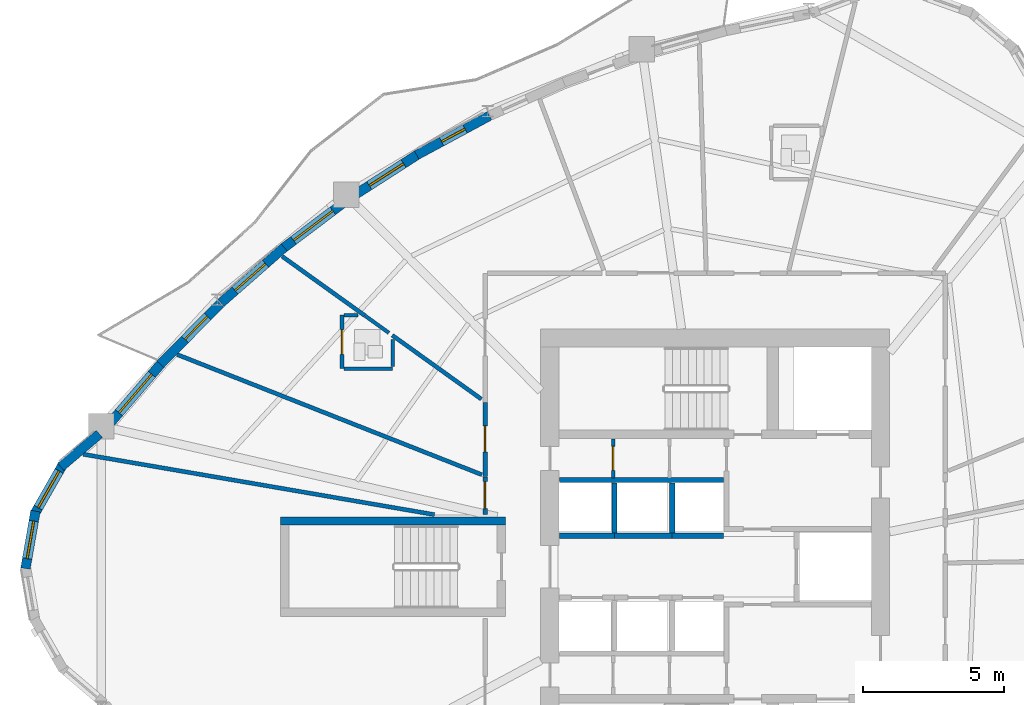
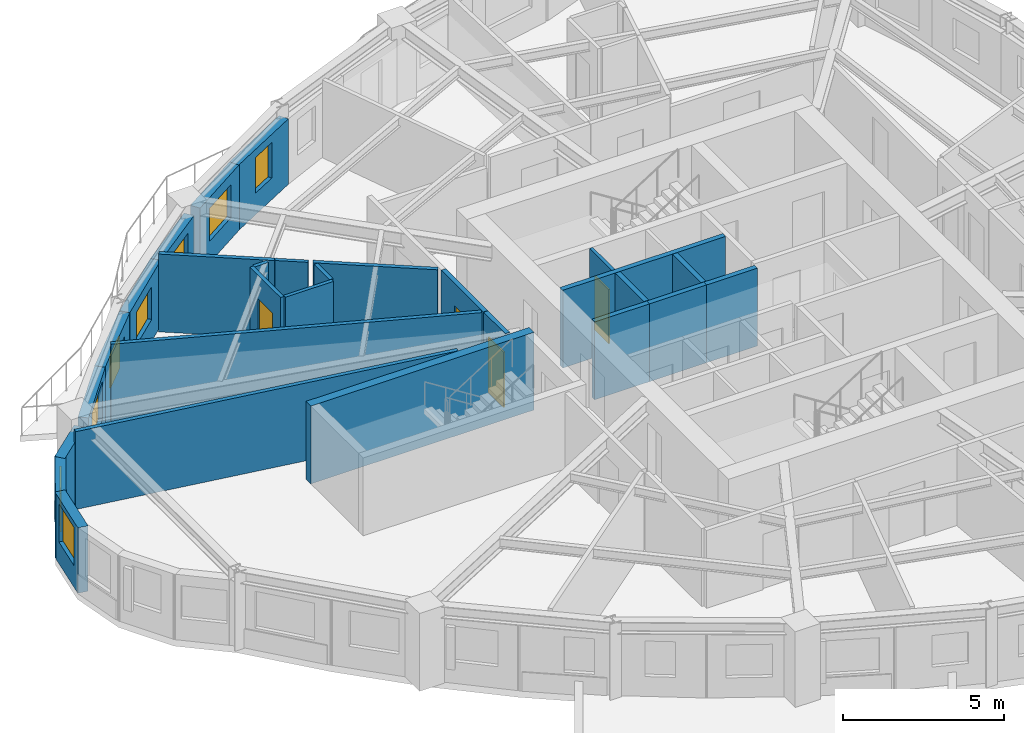
# One storey, part 6 of 14: 28 walls, 8 windows, 4 doors, 12 openings.
"""IFC4 building model written with IfcOpenShell, lengths in metres."""

from ifc_helpers import new_model, si_unit, direction, frame, frame_2d, origin, place, context, subcontext, project, spatial, rectangle, extrude, source, transform, mapped, material, layer, layer_set, type_object, element, fill, save


model = new_model("IFC4")

# Units and contexts
model_context = context("Model", 3, precision=1e-05, world=origin(), true_north=direction((0.0, 1.0)))
body_context = subcontext(model_context, "Body", "Model", "MODEL_VIEW")
ifc_project = project(units=[si_unit("LENGTHUNIT", "METRE"), si_unit("AREAUNIT", "SQUARE_METRE"), si_unit("VOLUMEUNIT", "CUBIC_METRE"), si_unit("PLANEANGLEUNIT", "RADIAN"), si_unit("MASSUNIT", "GRAM", prefix="KILO")], contexts=[model_context])

# Site, building, storey
site_placement = place(None, origin())
site = spatial("IfcSite", under=ifc_project, at=site_placement, CompositionType="ELEMENT")
building_placement = place(site_placement, origin())
building = spatial("IfcBuilding", under=site, at=building_placement, Name="Qafzar Sky-Pleat Residences", CompositionType="ELEMENT")
storey_placement = place(building_placement, frame((0.0, 0.0, 118.39990234375)))
storey = spatial("IfcBuildingStorey", under=building, at=storey_placement, Name="L35", CompositionType="ELEMENT", Elevation=118.39990234375)

# Wall, opening, door
ifc_material_1 = material(Name="Acoustic gypsum plasterboard partition", Category="gypsum")
ifc_layer_1 = layer(ifc_material_1, 0.159912109375)
ifc_layer_set_1 = layer_set([ifc_layer_1], Name="Acoustic gypsum plasterboard partition")
wall_type_1 = type_object("IfcWallType", Name="PART-COR-160", PredefinedType="PARTITIONING", material=ifc_layer_set_1)
wall_1_placement = place(storey_placement, frame((22.169921875, 29.208984375, 0.0), z_axis=(0.0, 0.0, 1.0), x_axis=(0.0, 1.0, 0.0)))
wall_1 = element("IfcWall", 1, at=wall_1_placement, inside=storey, type_object=wall_type_1, Name="L35 Partition Wall PART-L35-PW-013", PredefinedType="PARTITIONING", context=body_context, shape_type="SweptSolid", body=[
    extrude(rectangle(XDim=2.6201171875, YDim=0.159912109375, at=frame_2d((1.31005859375, 0.0))), origin(), (0.0, 0.0, 1.0), 2.9501953125),
])
opening_1_placement = place(wall_1_placement, frame((0.87548828125, 0.0, 0.0)))
opening_1 = element("IfcOpeningElement", 2, at=opening_1_placement, cuts=wall_1, Name="Opening ID-04", PredefinedType="OPENING", context=body_context, shape_type="SweptSolid", body=[
    extrude(rectangle(XDim=0.919921875, YDim=2.10009765625, at=frame_2d((0.4599609375, 1.050048828125))), frame((0.0, 0.08984375, 0.0), z_axis=(0.0, -1.0, 0.0), x_axis=(1.0, 0.0, 0.0)), (0.0, 0.0, 1.0), 0.179931640625),
])
ifc_material_2 = material(Name="Timber-faced fire door", Category="wood")
door_type_1 = type_object("IfcDoorType", Name="DR-BED-920", OperationType="NOTDEFINED", PredefinedType="DOOR", material=ifc_material_2)
shared_shape_1 = source(origin(), body_context, "Body", "SweptSolid", [
    extrude(rectangle(XDim=0.919921875, YDim=2.10009765625, at=frame_2d((0.4599609375, 1.050048828125))), frame((0.0, 0.02490234375, 0.0), z_axis=(0.0, -1.0, 0.0), x_axis=(1.0, 0.0, 0.0)), (0.0, 0.0, 1.0), 0.050048828125),
])
door_1_placement = place(opening_1_placement, origin())
door_1 = element("IfcDoor", 3, at=door_1_placement, inside=storey, type_object=door_type_1, Name="L35 Co-Living Bedroom 2 Door", OperationType="SINGLE_SWING_RIGHT", OverallHeight=2.10009765625, OverallWidth=0.919921875, PredefinedType="DOOR", context=body_context, shape_type="MappedRepresentation", body=[
    mapped(shared_shape_1, transform((0.0, 0.0, 0.0), x_axis=(1.0, 0.0, 0.0), y_axis=(0.0, 1.0, 0.0), z_axis=(0.0, 0.0, 1.0), scale=1.0)),
])
fill(opening_1, door_1)

wall_2_placement = place(storey_placement, frame((22.169921875, 27.85009765625, 0.0), z_axis=(0.0, 0.0, 1.0), x_axis=(0.0, 1.0, 0.0)))
wall_2 = element("IfcWall", 4, at=wall_2_placement, inside=storey, type_object=wall_type_1, Name="L35 Partition Wall PART-L35-PW-020", PredefinedType="PARTITIONING", context=body_context, shape_type="SweptSolid", body=[
    extrude(rectangle(XDim=1.343994140625, YDim=0.159912109375, at=frame_2d((0.671875, 0.0))), origin(), (0.0, 0.0, 1.0), 2.9501953125),
])
opening_2_placement = place(wall_2_placement, frame((0.211181640625, 0.0, 0.0)))
opening_2 = element("IfcOpeningElement", 5, at=opening_2_placement, cuts=wall_2, Name="Opening ID-06", PredefinedType="OPENING", context=body_context, shape_type="SweptSolid", body=[
    extrude(rectangle(XDim=0.9599609375, YDim=2.10009765625, at=frame_2d((0.47998046875, 1.050048828125))), frame((0.0, 0.08984375, 0.0), z_axis=(0.0, -1.0, 0.0), x_axis=(1.0, 0.0, 0.0)), (0.0, 0.0, 1.0), 0.179931640625),
])
door_type_2 = type_object("IfcDoorType", Name="DR-STD-960", OperationType="NOTDEFINED", PredefinedType="DOOR", material=ifc_material_2)
shared_shape_2 = source(origin(), body_context, "Body", "SweptSolid", [
    extrude(rectangle(XDim=0.9599609375, YDim=2.10009765625, at=frame_2d((0.47998046875, 1.050048828125))), frame((0.0, 0.02490234375, 0.0), z_axis=(0.0, -1.0, 0.0), x_axis=(1.0, 0.0, 0.0)), (0.0, 0.0, 1.0), 0.050048828125),
])
door_2_placement = place(opening_2_placement, origin())
door_2 = element("IfcDoor", 6, at=door_2_placement, inside=storey, type_object=door_type_2, Name="L35 Common Dining Room Door", OperationType="SINGLE_SWING_LEFT", OverallHeight=2.10009765625, OverallWidth=0.9599609375, PredefinedType="DOOR", context=body_context, shape_type="MappedRepresentation", body=[
    mapped(shared_shape_2, transform((0.0, 0.0, 0.0), x_axis=(1.0, 0.0, 0.0), y_axis=(0.0, 1.0, 0.0), z_axis=(0.0, 0.0, 1.0), scale=1.0)),
])
fill(opening_2, door_2)

# Walls
ifc_material_3 = material(Name="Concrete blockwork partition", Category="masonry")
ifc_layer_2 = layer(ifc_material_3, 0.179931640625)
ifc_layer_set_2 = layer_set([ifc_layer_2], Name="Concrete blockwork partition")
wall_type_2 = type_object("IfcWallType", Name="PART-SHAFT-180", PredefinedType="PARTITIONING", material=ifc_layer_set_2)
wall_3_placement = place(storey_placement, frame((24.81005859375, 29.080078125, 0.0), z_axis=(0.0, 0.0, 1.0), x_axis=(1.0, 0.0, 0.0)))
element("IfcWall", 7, at=wall_3_placement, inside=storey, type_object=wall_type_2, Name="L35 Partition Wall PART-L35-P46-N", PredefinedType="PARTITIONING", context=body_context, shape_type="SweptSolid", body=[
    extrude(rectangle(XDim=5.83984375, YDim=0.179931640625, at=frame_2d((2.919921875, 0.0))), origin(), (0.0, 0.0, 1.0), 2.9501953125),
])
wall_4_placement = place(storey_placement, frame((24.81005859375, 27.10009765625, 0.0), z_axis=(0.0, 0.0, 1.0), x_axis=(1.0, 0.0, 0.0)))
element("IfcWall", 8, at=wall_4_placement, inside=storey, type_object=wall_type_2, Name="L35 Partition Wall PART-L35-P4-S", PredefinedType="PARTITIONING", context=body_context, shape_type="SweptSolid", body=[
    extrude(rectangle(XDim=1.96484375, YDim=0.179931640625, at=frame_2d((0.982421875, 0.0))), origin(), (0.0, 0.0, 1.0), 2.9501953125),
])
wall_5_placement = place(storey_placement, frame((26.77490234375, 27.10009765625, 0.0), z_axis=(0.0, 0.0, 1.0), x_axis=(1.0, 0.0, 0.0)))
element("IfcWall", 9, at=wall_5_placement, inside=storey, type_object=wall_type_2, Name="L35 Partition Wall PART-L35-P5-S", PredefinedType="PARTITIONING", context=body_context, shape_type="SweptSolid", body=[
    extrude(rectangle(XDim=2.050048828125, YDim=0.179931640625, at=frame_2d((1.02490234375, 0.0))), origin(), (0.0, 0.0, 1.0), 2.9501953125),
])
wall_6_placement = place(storey_placement, frame((26.77490234375, 27.199951171875, 0.0), z_axis=(0.0, 0.0, 1.0), x_axis=(0.0, 1.0, 0.0)))
element("IfcWall", 10, at=wall_6_placement, inside=storey, type_object=wall_type_2, Name="L35 Partition Wall PART-L35-P46-DIV-1", PredefinedType="PARTITIONING", context=body_context, shape_type="SweptSolid", body=[
    extrude(rectangle(XDim=1.780029296875, YDim=0.179931640625, at=frame_2d((0.89013671875, 0.0))), origin(), (0.0, 0.0, 1.0), 2.9501953125),
])
wall_7_placement = place(storey_placement, frame((28.824951171875, 27.10009765625, 0.0), z_axis=(0.0, 0.0, 1.0), x_axis=(1.0, 0.0, 0.0)))
element("IfcWall", 11, at=wall_7_placement, inside=storey, type_object=wall_type_2, Name="L35 Partition Wall PART-L35-P6-S", PredefinedType="PARTITIONING", context=body_context, shape_type="SweptSolid", body=[
    extrude(rectangle(XDim=1.824951171875, YDim=0.179931640625, at=frame_2d((0.91259765625, 0.0))), origin(), (0.0, 0.0, 1.0), 2.9501953125),
])
wall_8_placement = place(storey_placement, frame((28.824951171875, 27.199951171875, 0.0), z_axis=(0.0, 0.0, 1.0), x_axis=(0.0, 1.0, 0.0)))
element("IfcWall", 12, at=wall_8_placement, inside=storey, type_object=wall_type_2, Name="L35 Partition Wall PART-L35-P46-DIV-2", PredefinedType="PARTITIONING", context=body_context, shape_type="SweptSolid", body=[
    extrude(rectangle(XDim=1.780029296875, YDim=0.179931640625, at=frame_2d((0.89013671875, 0.0))), origin(), (0.0, 0.0, 1.0), 2.9501953125),
])

# Wall, opening, door
ifc_material_4 = material(Name="Gypsum plasterboard partition", Category="gypsum")
ifc_layer_3 = layer(ifc_material_4, 0.114990234375)
ifc_layer_set_3 = layer_set([ifc_layer_3], Name="Gypsum plasterboard partition")
wall_type_3 = type_object("IfcWallType", Name="PART-SVC-115", PredefinedType="PARTITIONING", material=ifc_layer_set_3)
wall_9_placement = place(storey_placement, frame((26.72509765625, 29.159912109375, 0.0), z_axis=(0.0, 0.0, 1.0), x_axis=(0.0, 1.0, 0.0)))
wall_9 = element("IfcWall", 13, at=wall_9_placement, inside=storey, type_object=wall_type_3, Name="L35 Partition Wall PART-L35-KC-NW-1", PredefinedType="PARTITIONING", context=body_context, shape_type="SweptSolid", body=[
    extrude(rectangle(XDim=1.380126953125, YDim=0.114990234375, at=frame_2d((0.68994140625, 0.0))), origin(), (0.0, 0.0, 1.0), 2.9501953125),
])
opening_3_placement = place(wall_9_placement, frame((0.260009765625, 0.0, 0.0)))
opening_3 = element("IfcOpeningElement", 14, at=opening_3_placement, cuts=wall_9, Name="Opening ID-09", PredefinedType="OPENING", context=body_context, shape_type="SweptSolid", body=[
    extrude(rectangle(XDim=0.860107421875, YDim=2.050048828125, at=frame_2d((0.43017578125, 1.02490234375))), frame((0.0, 0.0673828125, 0.0), z_axis=(0.0, -1.0, 0.0), x_axis=(1.0, 0.0, 0.0)), (0.0, 0.0, 1.0), 0.135009765625),
])
door_type_3 = type_object("IfcDoorType", Name="DR-SVC-860", OperationType="NOTDEFINED", PredefinedType="DOOR", material=ifc_material_2)
shared_shape_3 = source(origin(), body_context, "Body", "SweptSolid", [
    extrude(rectangle(XDim=0.860107421875, YDim=2.050048828125, at=frame_2d((0.43017578125, 1.02490234375))), frame((0.0, 0.02490234375, 0.0), z_axis=(0.0, -1.0, 0.0), x_axis=(1.0, 0.0, 0.0)), (0.0, 0.0, 1.0), 0.050048828125),
])
door_3_placement = place(opening_3_placement, origin())
door_3 = element("IfcDoor", 15, at=door_3_placement, inside=storey, type_object=door_type_3, Name="L35 Core North Cupboard 1 Door", OperationType="SINGLE_SWING_LEFT", OverallHeight=2.050048828125, OverallWidth=0.860107421875, PredefinedType="DOOR", context=body_context, shape_type="MappedRepresentation", body=[
    mapped(shared_shape_3, transform((0.0, 0.0, 0.0), x_axis=(1.0, 0.0, 0.0), y_axis=(0.0, 1.0, 0.0), z_axis=(0.0, 0.0, 1.0), scale=1.0)),
])
fill(opening_3, door_3)

# Walls
ifc_layer_4 = layer(ifc_material_1, 0.14501953125)
ifc_layer_set_4 = layer_set([ifc_layer_4], Name="Acoustic gypsum plasterboard partition")
wall_type_4 = type_object("IfcWallType", Name="PART-UNIT-145", PredefinedType="PARTITIONING", material=ifc_layer_set_4)
wall_10_placement = place(storey_placement, frame((7.892822265625, 29.99560546875, 0.0), z_axis=(0.0, 0.0, 1.0), x_axis=(0.985544917876, -0.169414328938, 0.0)))
element("IfcWall", 16, at=wall_10_placement, inside=storey, type_object=wall_type_4, Name="L35 Partition Wall PART-L35-PW-021", PredefinedType="PARTITIONING", context=body_context, shape_type="SweptSolid", body=[
    extrude(rectangle(XDim=12.664306640625, YDim=0.14501953125, at=frame_2d((6.33203125, 0.0))), origin(), (0.0, 0.0, 1.0), 2.9501953125),
])
wall_11_placement = place(storey_placement, frame((11.227783203125, 33.540283203125, 0.0), z_axis=(0.0, 0.0, 1.0), x_axis=(0.930301058265, -0.366796866114, 0.0)))
element("IfcWall", 17, at=wall_11_placement, inside=storey, type_object=wall_type_4, Name="L35 Partition Wall PART-L35-PW-022", PredefinedType="PARTITIONING", context=body_context, shape_type="SweptSolid", body=[
    extrude(rectangle(XDim=11.639404296875, YDim=0.14501953125, at=frame_2d((5.81982421875, 0.0))), origin(), (0.0, 0.0, 1.0), 2.9501953125),
])
wall_12_placement = place(storey_placement, frame((18.8740234375, 34.22509765625, 0.0), z_axis=(0.0, 0.0, 1.0), x_axis=(0.812826521731, -0.582505833079, 0.0)))
element("IfcWall", 18, at=wall_12_placement, inside=storey, type_object=wall_type_4, Name="L35 Partition Wall PART-L35-PW-038", PredefinedType="PARTITIONING", context=body_context, shape_type="SweptSolid", body=[
    extrude(rectangle(XDim=3.896484375, YDim=0.14501953125, at=frame_2d((1.9482421875, 0.0))), origin(), (0.0, 0.0, 1.0), 2.9501953125),
])
wall_13_placement = place(storey_placement, frame((14.96142578125, 37.029541015625, 0.0), z_axis=(0.0, 0.0, 1.0), x_axis=(0.812838437321, -0.582489205748, 0.0)))
element("IfcWall", 19, at=wall_13_placement, inside=storey, type_object=wall_type_4, Name="L35 Partition Wall PART-L35-PW-040", PredefinedType="PARTITIONING", context=body_context, shape_type="SweptSolid", body=[
    extrude(rectangle(XDim=3.6162109375, YDim=0.14501953125, at=frame_2d((1.80810546875, 0.0))), origin(), (0.0, 0.0, 1.0), 2.9501953125),
])

# Wall, opening, door
ifc_material_5 = material(Name="Moisture-resistant gypsum partition", Category="gypsum")
ifc_layer_5 = layer(ifc_material_5, 0.1298828125)
ifc_layer_set_5 = layer_set([ifc_layer_5], Name="Moisture-resistant gypsum partition")
wall_type_5 = type_object("IfcWallType", Name="PART-WET-130", PredefinedType="PARTITIONING", material=ifc_layer_set_5)
wall_14_placement = place(storey_placement, frame((17.089111328125, 34.93798828125, 0.0), z_axis=(0.0, 0.0, 1.0), x_axis=(0.0, -1.0, 0.0)))
wall_14 = element("IfcWall", 20, at=wall_14_placement, inside=storey, type_object=wall_type_5, Name="L35 Partition Wall PART-L35-PW-014", PredefinedType="PARTITIONING", context=body_context, shape_type="SweptSolid", body=[
    extrude(rectangle(XDim=1.89990234375, YDim=0.1298828125, at=frame_2d((0.949951171875, 0.0))), origin(), (0.0, 0.0, 1.0), 2.9501953125),
])
opening_4_placement = place(wall_14_placement, frame((0.510009765625, 0.0, 0.0)))
opening_4 = element("IfcOpeningElement", 21, at=opening_4_placement, cuts=wall_14, Name="Opening ID-07", PredefinedType="OPENING", context=body_context, shape_type="SweptSolid", body=[
    extrude(rectangle(XDim=0.8798828125, YDim=2.050048828125, at=frame_2d((0.43994140625, 1.02490234375))), frame((0.0, 0.074951171875, 0.0), z_axis=(0.0, -1.0, 0.0), x_axis=(1.0, 0.0, 0.0)), (0.0, 0.0, 1.0), 0.14990234375),
])
door_type_4 = type_object("IfcDoorType", Name="DR-WET-880", OperationType="NOTDEFINED", PredefinedType="DOOR", material=ifc_material_2)
shared_shape_4 = source(origin(), body_context, "Body", "SweptSolid", [
    extrude(rectangle(XDim=0.8798828125, YDim=2.050048828125, at=frame_2d((0.43994140625, 1.02490234375))), frame((0.0, 0.02490234375, 0.0), z_axis=(0.0, -1.0, 0.0), x_axis=(1.0, 0.0, 0.0)), (0.0, 0.0, 1.0), 0.050048828125),
])
door_4_placement = place(opening_4_placement, origin())
door_4 = element("IfcDoor", 22, at=door_4_placement, inside=storey, type_object=door_type_4, Name="L35 En-suite Bathroom 2 Door", OperationType="SINGLE_SWING_LEFT", OverallHeight=2.050048828125, OverallWidth=0.8798828125, PredefinedType="DOOR", context=body_context, shape_type="MappedRepresentation", body=[
    mapped(shared_shape_4, transform((0.0, 0.0, 0.0), x_axis=(1.0, 0.0, 0.0), y_axis=(0.0, 1.0, 0.0), z_axis=(0.0, 0.0, 1.0), scale=1.0)),
])
fill(opening_4, door_4)

# Walls
wall_15_placement = place(storey_placement, frame((17.162109375, 33.0380859375, 0.0), z_axis=(0.0, 0.0, 1.0), x_axis=(1.0, 0.0, 0.0)))
element("IfcWall", 23, at=wall_15_placement, inside=storey, type_object=wall_type_5, Name="L35 Partition Wall PART-L35-PW-042", PredefinedType="PARTITIONING", context=body_context, shape_type="SweptSolid", body=[
    extrude(rectangle(XDim=1.726806640625, YDim=0.1298828125, at=frame_2d((0.86328125, 0.0))), origin(), (0.0, 0.0, 1.0), 2.9501953125),
])
wall_16_placement = place(storey_placement, frame((18.888916015625, 33.111083984375, 0.0), z_axis=(0.0, 0.0, 1.0), x_axis=(0.0, 1.0, 0.0)))
element("IfcWall", 24, at=wall_16_placement, inside=storey, type_object=wall_type_5, Name="L35 Partition Wall PART-L35-PW-050", PredefinedType="PARTITIONING", context=body_context, shape_type="SweptSolid", body=[
    extrude(rectangle(XDim=0.960205078125, YDim=0.1298828125, at=frame_2d((0.47998046875, 0.0))), origin(), (0.0, 0.0, 1.0), 2.9501953125),
])
wall_17_placement = place(storey_placement, frame((17.9130859375, 34.914306640625, 0.0), z_axis=(0.0, 0.0, 1.0), x_axis=(0.812774229327, -0.582578794792, 0.0)))
element("IfcWall", 25, at=wall_17_placement, inside=storey, type_object=wall_type_5, Name="L35 Partition Wall PART-L35-PW-051", PredefinedType="PARTITIONING", context=body_context, shape_type="SweptSolid", body=[
    extrude(rectangle(XDim=1.032958984375, YDim=0.1298828125, at=frame_2d((0.5166015625, 0.0))), origin(), (0.0, 0.0, 1.0), 2.9501953125),
])
wall_18_placement = place(storey_placement, frame((17.162109375, 34.93798828125, 0.0), z_axis=(0.0, 0.0, 1.0), x_axis=(1.0, 0.0, 0.0)))
element("IfcWall", 26, at=wall_18_placement, inside=storey, type_object=wall_type_5, Name="L35 Partition Wall PART-L35-PW-054", PredefinedType="PARTITIONING", context=body_context, shape_type="SweptSolid", body=[
    extrude(rectangle(XDim=0.49462890625, YDim=0.1298828125, at=frame_2d((0.247314453125, 0.0))), origin(), (0.0, 0.0, 1.0), 2.9501953125),
])
ifc_material_6 = material(Name="Precast concrete C40/50 with honed Riyadh limestone", Category="concrete")
ifc_layer_6 = layer(ifc_material_6, 0.340087890625)
ifc_layer_set_6 = layer_set([ifc_layer_6], Name="Precast concrete C40/50 with honed Riyadh limestone")
wall_type_6 = type_object("IfcWallType", Name="WALL-EXT-340", PredefinedType="SOLIDWALL", material=ifc_layer_set_6)
wall_19_placement = place(storey_placement, frame((8.4638671875, 30.717529296875, 0.0), z_axis=(0.0, 0.0, 1.0), x_axis=(-0.76120118347, -0.648515811899, 0.0)))
element("IfcWall", 27, at=wall_19_placement, inside=storey, type_object=wall_type_6, Name="L35 Limestone Facade Wall 1", PredefinedType="SOLIDWALL", context=body_context, shape_type="SweptSolid", body=[
    extrude(rectangle(XDim=1.8046875, YDim=0.340087890625, at=frame_2d((0.90234375, 0.0))), origin(), (0.0, 0.0, 1.0), 2.47998046875),
])

# Wall, opening, window
wall_20_placement = place(storey_placement, frame((7.17529296875, 29.649658203125, 0.0), z_axis=(0.0, 0.0, 1.0), x_axis=(-0.495999400124, -0.868322863385, 0.0)))
wall_20 = element("IfcWall", 28, at=wall_20_placement, inside=storey, type_object=wall_type_6, Name="L35 Limestone Facade Wall 2", PredefinedType="SOLIDWALL", context=body_context, shape_type="SweptSolid", body=[
    extrude(rectangle(XDim=2.07275390625, YDim=0.340087890625, at=frame_2d((1.036376953125, 0.0))), origin(), (0.0, 0.0, 1.0), 2.47998046875),
])
opening_5_placement = place(wall_20_placement, frame((0.286376953125, 0.0, 0.820068359375)))
opening_5 = element("IfcOpeningElement", 29, at=opening_5_placement, cuts=wall_20, Name="Opening WN-03", PredefinedType="OPENING", context=body_context, shape_type="SweptSolid", body=[
    extrude(rectangle(XDim=1.5, YDim=1.449951171875, at=frame_2d((0.75, 0.72509765625))), frame((0.0, 0.18017578125, 0.0), z_axis=(0.0, -1.0, 0.0), x_axis=(1.0, 0.0, 0.0)), (0.0, 0.0, 1.0), 0.360107421875),
])
ifc_material_7 = material(Name="Solar-control low-E glass in bronze aluminium frame", Category="glass")
window_type_1 = type_object("IfcWindowType", Name="WIN-03", PartitioningType="DOUBLE_PANEL_VERTICAL", PredefinedType="WINDOW", material=ifc_material_7)
shared_shape_5 = source(origin(), body_context, "Body", "SweptSolid", [
    extrude(rectangle(XDim=1.5, YDim=1.449951171875, at=frame_2d((0.75, 0.72509765625))), frame((0.0, 0.030029296875, 0.0), z_axis=(0.0, -1.0, 0.0), x_axis=(1.0, 0.0, 0.0)), (0.0, 0.0, 1.0), 0.06005859375),
])
window_1_placement = place(opening_5_placement, origin())
window_1 = element("IfcWindow", 30, at=window_1_placement, inside=storey, type_object=window_type_1, Name="L35 Punched Facade Window 02", OverallHeight=1.449951171875, OverallWidth=1.5, PartitioningType="SINGLE_PANEL", PredefinedType="WINDOW", context=body_context, shape_type="MappedRepresentation", body=[
    mapped(shared_shape_5, transform((0.0, 0.0, 0.0), x_axis=(1.0, 0.0, 0.0), y_axis=(0.0, 1.0, 0.0), z_axis=(0.0, 0.0, 1.0), scale=1.0)),
])
fill(opening_5, window_1)

wall_21_placement = place(storey_placement, frame((6.1923828125, 27.975341796875, 0.0), z_axis=(0.0, 0.0, 1.0), x_axis=(-0.172186061474, -0.985064444711, 0.0)))
wall_21 = element("IfcWall", 31, at=wall_21_placement, inside=storey, type_object=wall_type_6, Name="L35 Limestone Facade Wall 3", PredefinedType="SOLIDWALL", context=body_context, shape_type="SweptSolid", body=[
    extrude(rectangle(XDim=2.072998046875, YDim=0.340087890625, at=frame_2d((1.03662109375, 0.0))), origin(), (0.0, 0.0, 1.0), 2.47998046875),
])
opening_6_placement = place(wall_21_placement, frame((0.361572265625, 0.0, 0.820068359375)))
opening_6 = element("IfcOpeningElement", 32, at=opening_6_placement, cuts=wall_21, Name="Opening WN-04", PredefinedType="OPENING", context=body_context, shape_type="SweptSolid", body=[
    extrude(rectangle(XDim=1.35009765625, YDim=1.449951171875, at=frame_2d((0.675048828125, 0.72509765625))), frame((0.0, 0.18017578125, 0.0), z_axis=(0.0, -1.0, 0.0), x_axis=(1.0, 0.0, 0.0)), (0.0, 0.0, 1.0), 0.360107421875),
])
window_type_2 = type_object("IfcWindowType", Name="WIN-04", PartitioningType="SINGLE_PANEL", PredefinedType="WINDOW", material=ifc_material_7)
shared_shape_6 = source(origin(), body_context, "Body", "SweptSolid", [
    extrude(rectangle(XDim=1.35009765625, YDim=1.449951171875, at=frame_2d((0.675048828125, 0.72509765625))), frame((0.0, 0.030029296875, 0.0), z_axis=(0.0, -1.0, 0.0), x_axis=(1.0, 0.0, 0.0)), (0.0, 0.0, 1.0), 0.06005859375),
])
window_2_placement = place(opening_6_placement, origin())
window_2 = element("IfcWindow", 33, at=window_2_placement, inside=storey, type_object=window_type_2, Name="L35 Punched Facade Window 03", OverallHeight=1.449951171875, OverallWidth=1.35009765625, PartitioningType="SINGLE_PANEL", PredefinedType="WINDOW", context=body_context, shape_type="MappedRepresentation", body=[
    mapped(shared_shape_6, transform((0.0, 0.0, 0.0), x_axis=(1.0, 0.0, 0.0), y_axis=(0.0, 1.0, 0.0), z_axis=(0.0, 0.0, 1.0), scale=1.0)),
])
fill(opening_6, window_2)

wall_22_placement = place(storey_placement, frame((22.328369140625, 42.027099609375, 0.0), z_axis=(0.0, 0.0, 1.0), x_axis=(-0.880092136679, -0.474802939077, 0.0)))
wall_22 = element("IfcWall", 34, at=wall_22_placement, inside=storey, type_object=wall_type_6, Name="L35 Limestone Facade Wall 43", PredefinedType="SOLIDWALL", context=body_context, shape_type="SweptSolid", body=[
    extrude(rectangle(XDim=2.939697265625, YDim=0.340087890625, at=frame_2d((1.4697265625, 0.0))), origin(), (0.0, 0.0, 1.0), 2.47998046875),
])
opening_7_placement = place(wall_22_placement, frame((0.98486328125, 0.0, 0.820068359375)))
opening_7 = element("IfcOpeningElement", 35, at=opening_7_placement, cuts=wall_22, Name="Opening WN-12", PredefinedType="OPENING", context=body_context, shape_type="SweptSolid", body=[
    extrude(rectangle(XDim=0.949951171875, YDim=1.35009765625, at=frame_2d((0.47509765625, 0.675048828125))), frame((0.0, 0.18017578125, 0.0), z_axis=(0.0, -1.0, 0.0), x_axis=(1.0, 0.0, 0.0)), (0.0, 0.0, 1.0), 0.360107421875),
])
window_type_3 = type_object("IfcWindowType", Name="WIN-12", PartitioningType="SINGLE_PANEL", PredefinedType="WINDOW", material=ifc_material_7)
shared_shape_7 = source(origin(), body_context, "Body", "SweptSolid", [
    extrude(rectangle(XDim=0.949951171875, YDim=1.35009765625, at=frame_2d((0.47509765625, 0.675048828125))), frame((0.0, 0.030029296875, 0.0), z_axis=(0.0, -1.0, 0.0), x_axis=(1.0, 0.0, 0.0)), (0.0, 0.0, 1.0), 0.06005859375),
])
window_3_placement = place(opening_7_placement, origin())
window_3 = element("IfcWindow", 36, at=window_3_placement, inside=storey, type_object=window_type_3, Name="L35 Punched Facade Window 43", OverallHeight=1.35009765625, OverallWidth=0.949951171875, PartitioningType="SINGLE_PANEL", PredefinedType="WINDOW", context=body_context, shape_type="MappedRepresentation", body=[
    mapped(shared_shape_7, transform((0.0, 0.0, 0.0), x_axis=(1.0, 0.0, 0.0), y_axis=(0.0, 1.0, 0.0), z_axis=(0.0, 0.0, 1.0), scale=1.0)),
])
fill(opening_7, window_3)

wall_23_placement = place(storey_placement, frame((19.81787109375, 40.676513671875, 0.0), z_axis=(0.0, 0.0, 1.0), x_axis=(-0.841503814414, -0.540251173369, 0.0)))
wall_23 = element("IfcWall", 37, at=wall_23_placement, inside=storey, type_object=wall_type_6, Name="L35 Limestone Facade Wall 44", PredefinedType="SOLIDWALL", context=body_context, shape_type="SweptSolid", body=[
    extrude(rectangle(XDim=2.7294921875, YDim=0.340087890625, at=frame_2d((1.36474609375, 0.0))), origin(), (0.0, 0.0, 1.0), 2.47998046875),
])
opening_8_placement = place(wall_23_placement, frame((0.644775390625, 0.0, 0.820068359375)))
opening_8 = element("IfcOpeningElement", 38, at=opening_8_placement, cuts=wall_23, Name="Opening WN-15", PredefinedType="OPENING", context=body_context, shape_type="SweptSolid", body=[
    extrude(rectangle(XDim=1.449951171875, YDim=1.25, at=frame_2d((0.72509765625, 0.625))), frame((0.0, 0.18017578125, 0.0), z_axis=(0.0, -1.0, 0.0), x_axis=(1.0, 0.0, 0.0)), (0.0, 0.0, 1.0), 0.360107421875),
])
window_type_4 = type_object("IfcWindowType", Name="WIN-15", PartitioningType="SINGLE_PANEL", PredefinedType="WINDOW", material=ifc_material_7)
shared_shape_8 = source(origin(), body_context, "Body", "SweptSolid", [
    extrude(rectangle(XDim=1.449951171875, YDim=1.25, at=frame_2d((0.72509765625, 0.625))), frame((0.0, 0.030029296875, 0.0), z_axis=(0.0, -1.0, 0.0), x_axis=(1.0, 0.0, 0.0)), (0.0, 0.0, 1.0), 0.06005859375),
])
window_4_placement = place(opening_8_placement, origin())
window_4 = element("IfcWindow", 39, at=window_4_placement, inside=storey, type_object=window_type_4, Name="L35 Punched Facade Window 44", OverallHeight=1.25, OverallWidth=1.449951171875, PartitioningType="SINGLE_PANEL", PredefinedType="WINDOW", context=body_context, shape_type="MappedRepresentation", body=[
    mapped(shared_shape_8, transform((0.0, 0.0, 0.0), x_axis=(1.0, 0.0, 0.0), y_axis=(0.0, 1.0, 0.0), z_axis=(0.0, 0.0, 1.0), scale=1.0)),
])
fill(opening_8, window_4)

wall_24_placement = place(storey_placement, frame((17.154296875, 38.946533203125, 0.0), z_axis=(0.0, 0.0, 1.0), x_axis=(-0.798332692302, -0.602216665663, 0.0)))
wall_24 = element("IfcWall", 40, at=wall_24_placement, inside=storey, type_object=wall_type_6, Name="L35 Limestone Facade Wall 45", PredefinedType="SOLIDWALL", context=body_context, shape_type="SweptSolid", body=[
    extrude(rectangle(XDim=2.74609375, YDim=0.340087890625, at=frame_2d((1.373046875, 0.0))), origin(), (0.0, 0.0, 1.0), 2.47998046875),
])
opening_9_placement = place(wall_24_placement, frame((0.4931640625, 0.0, 0.820068359375)))
opening_9 = element("IfcOpeningElement", 41, at=opening_9_placement, cuts=wall_24, Name="Opening WN-14", PredefinedType="OPENING", context=body_context, shape_type="SweptSolid", body=[
    extrude(rectangle(XDim=1.75, YDim=1.300048828125, at=frame_2d((0.875, 0.64990234375))), frame((0.0, 0.18017578125, 0.0), z_axis=(0.0, -1.0, 0.0), x_axis=(1.0, 0.0, 0.0)), (0.0, 0.0, 1.0), 0.360107421875),
])
window_type_5 = type_object("IfcWindowType", Name="WIN-14", PartitioningType="DOUBLE_PANEL_VERTICAL", PredefinedType="WINDOW", material=ifc_material_7)
shared_shape_9 = source(origin(), body_context, "Body", "SweptSolid", [
    extrude(rectangle(XDim=1.75, YDim=1.300048828125, at=frame_2d((0.875, 0.64990234375))), frame((0.0, 0.030029296875, 0.0), z_axis=(0.0, -1.0, 0.0), x_axis=(1.0, 0.0, 0.0)), (0.0, 0.0, 1.0), 0.06005859375),
])
window_5_placement = place(opening_9_placement, origin())
window_5 = element("IfcWindow", 42, at=window_5_placement, inside=storey, type_object=window_type_5, Name="L35 Punched Facade Window 45", OverallHeight=1.300048828125, OverallWidth=1.75, PartitioningType="SINGLE_PANEL", PredefinedType="WINDOW", context=body_context, shape_type="MappedRepresentation", body=[
    mapped(shared_shape_9, transform((0.0, 0.0, 0.0), x_axis=(1.0, 0.0, 0.0), y_axis=(0.0, 1.0, 0.0), z_axis=(0.0, 0.0, 1.0), scale=1.0)),
])
fill(opening_9, window_5)

wall_25_placement = place(storey_placement, frame((15.030517578125, 37.3486328125, 0.0), z_axis=(0.0, 0.0, 1.0), x_axis=(-0.751472812955, -0.659764057364, 0.0)))
wall_25 = element("IfcWall", 43, at=wall_25_placement, inside=storey, type_object=wall_type_6, Name="L35 Limestone Facade Wall 46", PredefinedType="SOLIDWALL", context=body_context, shape_type="SweptSolid", body=[
    extrude(rectangle(XDim=2.989501953125, YDim=0.340087890625, at=frame_2d((1.49462890625, 0.0))), origin(), (0.0, 0.0, 1.0), 2.47998046875),
])
opening_10_placement = place(wall_25_placement, frame((0.875, 0.0, 0.820068359375)))
opening_10 = element("IfcOpeningElement", 44, at=opening_10_placement, cuts=wall_25, Name="Opening WN-15", PredefinedType="OPENING", context=body_context, shape_type="SweptSolid", body=[
    extrude(rectangle(XDim=1.449951171875, YDim=1.25, at=frame_2d((0.72509765625, 0.625))), frame((0.0, 0.18017578125, 0.0), z_axis=(0.0, -1.0, 0.0), x_axis=(1.0, 0.0, 0.0)), (0.0, 0.0, 1.0), 0.360107421875),
])
window_6_placement = place(opening_10_placement, origin())
window_6 = element("IfcWindow", 45, at=window_6_placement, inside=storey, type_object=window_type_4, Name="L35 Punched Facade Window 46", OverallHeight=1.25, OverallWidth=1.449951171875, PartitioningType="SINGLE_PANEL", PredefinedType="WINDOW", context=body_context, shape_type="MappedRepresentation", body=[
    mapped(shared_shape_8, transform((0.0, 0.0, 0.0), x_axis=(1.0, 0.0, 0.0), y_axis=(0.0, 1.0, 0.0), z_axis=(0.0, 0.0, 1.0), scale=1.0)),
])
fill(opening_10, window_6)

wall_26_placement = place(storey_placement, frame((12.763916015625, 35.357177734375, 0.0), z_axis=(0.0, 0.0, 1.0), x_axis=(-0.701906045867, -0.712269543625, 0.0)))
wall_26 = element("IfcWall", 46, at=wall_26_placement, inside=storey, type_object=wall_type_6, Name="L35 Limestone Facade Wall 47", PredefinedType="SOLIDWALL", context=body_context, shape_type="SweptSolid", body=[
    extrude(rectangle(XDim=3.0390625, YDim=0.340087890625, at=frame_2d((1.51953125, 0.0))), origin(), (0.0, 0.0, 1.0), 2.47998046875),
])
opening_11_placement = place(wall_26_placement, frame((0.6455078125, 0.0, 0.820068359375)))
opening_11 = element("IfcOpeningElement", 47, at=opening_11_placement, cuts=wall_26, Name="Opening WN-16", PredefinedType="OPENING", context=body_context, shape_type="SweptSolid", body=[
    extrude(rectangle(XDim=1.14990234375, YDim=1.199951171875, at=frame_2d((0.574951171875, 0.60009765625))), frame((0.0, 0.18017578125, 0.0), z_axis=(0.0, -1.0, 0.0), x_axis=(1.0, 0.0, 0.0)), (0.0, 0.0, 1.0), 0.360107421875),
])
window_type_6 = type_object("IfcWindowType", Name="WIN-16", PartitioningType="SINGLE_PANEL", PredefinedType="WINDOW", material=ifc_material_7)
shared_shape_10 = source(origin(), body_context, "Body", "SweptSolid", [
    extrude(rectangle(XDim=1.14990234375, YDim=1.199951171875, at=frame_2d((0.574951171875, 0.60009765625))), frame((0.0, 0.030029296875, 0.0), z_axis=(0.0, -1.0, 0.0), x_axis=(1.0, 0.0, 0.0)), (0.0, 0.0, 1.0), 0.06005859375),
])
window_7_placement = place(opening_11_placement, origin())
window_7 = element("IfcWindow", 48, at=window_7_placement, inside=storey, type_object=window_type_6, Name="L35 Punched Facade Window 47", OverallHeight=1.199951171875, OverallWidth=1.14990234375, PartitioningType="SINGLE_PANEL", PredefinedType="WINDOW", context=body_context, shape_type="MappedRepresentation", body=[
    mapped(shared_shape_10, transform((0.0, 0.0, 0.0), x_axis=(1.0, 0.0, 0.0), y_axis=(0.0, 1.0, 0.0), z_axis=(0.0, 0.0, 1.0), scale=1.0)),
])
fill(opening_11, window_7)

wall_27_placement = place(storey_placement, frame((10.690185546875, 33.257080078125, 0.0), z_axis=(0.0, 0.0, 1.0), x_axis=(-0.650763576187, -0.759280427714, 0.0)))
wall_27 = element("IfcWall", 49, at=wall_27_placement, inside=storey, type_object=wall_type_6, Name="L35 Limestone Facade Wall 48", PredefinedType="SOLIDWALL", context=body_context, shape_type="SweptSolid", body=[
    extrude(rectangle(XDim=2.893310546875, YDim=0.340087890625, at=frame_2d((1.44677734375, 0.0))), origin(), (0.0, 0.0, 1.0), 2.47998046875),
])
opening_12_placement = place(wall_27_placement, frame((0.5517578125, 0.0, 0.820068359375)))
opening_12 = element("IfcOpeningElement", 50, at=opening_12_placement, cuts=wall_27, Name="Opening WN-01", PredefinedType="OPENING", context=body_context, shape_type="SweptSolid", body=[
    extrude(rectangle(XDim=1.800048828125, YDim=1.449951171875, at=frame_2d((0.89990234375, 0.72509765625))), frame((0.0, 0.18017578125, 0.0), z_axis=(0.0, -1.0, 0.0), x_axis=(1.0, 0.0, 0.0)), (0.0, 0.0, 1.0), 0.360107421875),
])
window_type_7 = type_object("IfcWindowType", Name="WIN-01", PartitioningType="DOUBLE_PANEL_VERTICAL", PredefinedType="WINDOW", material=ifc_material_7)
shared_shape_11 = source(origin(), body_context, "Body", "SweptSolid", [
    extrude(rectangle(XDim=1.800048828125, YDim=1.449951171875, at=frame_2d((0.89990234375, 0.72509765625))), frame((0.0, 0.030029296875, 0.0), z_axis=(0.0, -1.0, 0.0), x_axis=(1.0, 0.0, 0.0)), (0.0, 0.0, 1.0), 0.06005859375),
])
window_8_placement = place(opening_12_placement, origin())
window_8 = element("IfcWindow", 51, at=window_8_placement, inside=storey, type_object=window_type_7, Name="L35 Punched Facade Window 48", OverallHeight=1.449951171875, OverallWidth=1.800048828125, PartitioningType="SINGLE_PANEL", PredefinedType="WINDOW", context=body_context, shape_type="MappedRepresentation", body=[
    mapped(shared_shape_11, transform((0.0, 0.0, 0.0), x_axis=(1.0, 0.0, 0.0), y_axis=(0.0, 1.0, 0.0), z_axis=(0.0, 0.0, 1.0), scale=1.0)),
])
fill(opening_12, window_8)

# Wall
ifc_material_8 = material(Name="Concrete C60/75", Category="concrete")
ifc_layer_7 = layer(ifc_material_8, 0.300048828125)
ifc_layer_set_7 = layer_set([ifc_layer_7], Name="Concrete C60/75")
wall_type_7 = type_object("IfcWallType", Name="WALL-SHEAR-300", PredefinedType="SHEAR", material=ifc_layer_set_7)
wall_28_placement = place(storey_placement, frame((22.89990234375, 27.625, 0.0), z_axis=(0.0, 0.0, 1.0), x_axis=(-1.0, 0.0, 0.0)))
element("IfcWall", 52, at=wall_28_placement, inside=storey, type_object=wall_type_7, Name="L35 ST3 wall N", PredefinedType="SHEAR", context=body_context, shape_type="SweptSolid", body=[
    extrude(rectangle(XDim=8.0, YDim=0.300048828125, at=frame_2d((4.0, 0.0))), origin(), (0.0, 0.0, 1.0), 2.9501953125),
])

save(model, "model.ifc")
